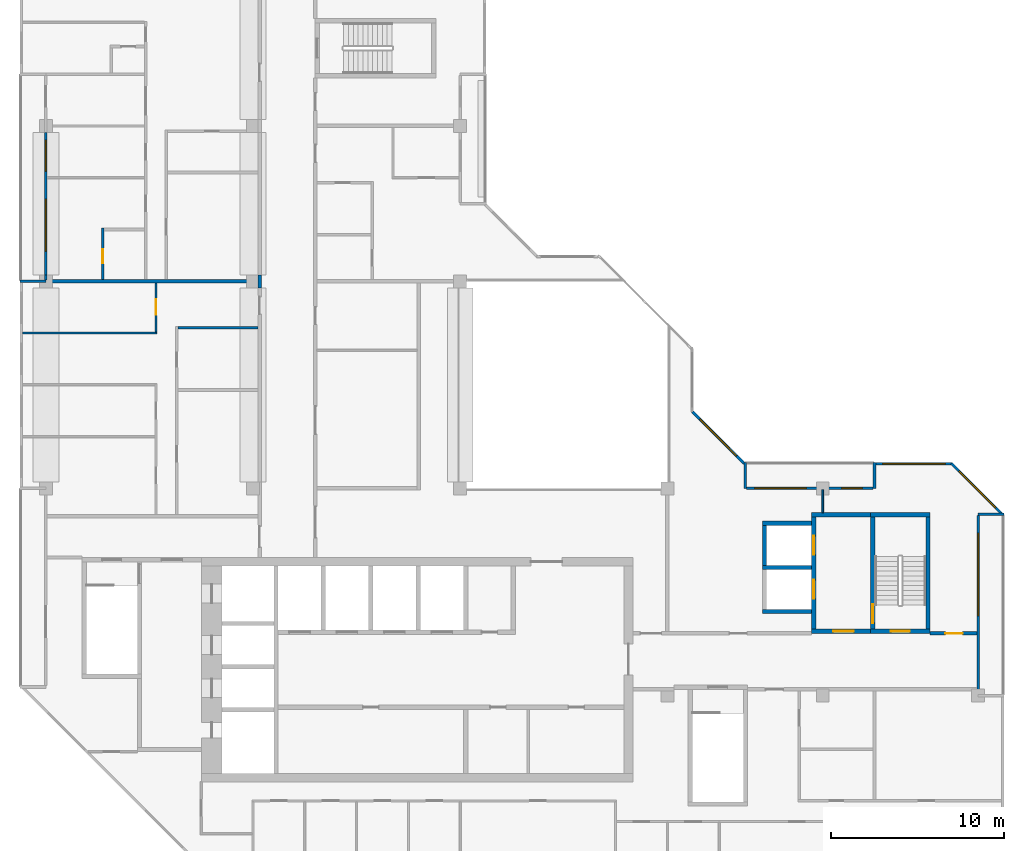
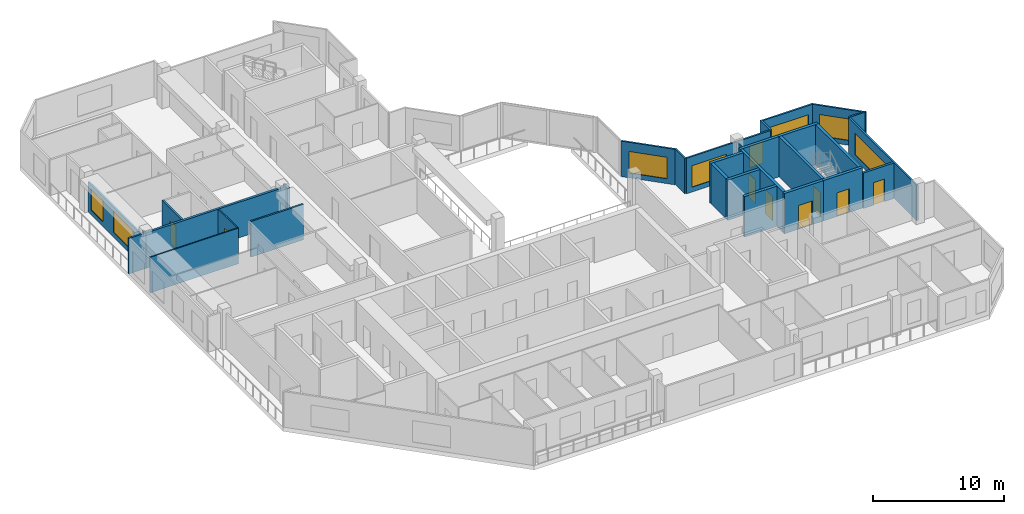
# One storey, part 7 of 11: 30 walls, 8 doors, 8 windows, 16 openings.
"""IFC4 building model written with IfcOpenShell, lengths in metres."""

import ifcopenshell
import ifcopenshell.guid

model = None  # the IFC model being written
_history = None  # IfcOwnerHistory: only IFC2X3 demands one
_inside = {}  # id of a spatial element -> (the spatial element, [elements in it])
_under = {}  # id of a project, library or spatial element -> (it, [spatial elements below it])
_declared = {}  # id of a project -> (the project, [libraries it declares])
_typed = {}  # id of a type object -> (the type object, [elements of that type])
_made_of = {}  # id of a material, layer set ... -> (it, [elements and type objects made of it])


def new_model(schema):
    """Start an empty IFC model of exactly this schema.

    Asked for "IFC4X3", IfcOpenShell would pick the latest addendum, in which some entities
    have other attributes; the version numbers below select the first issue.
    IFC2X3 requires an IfcOwnerHistory on every rooted entity: one is made here for all.
    """
    global model, _history
    if schema == "IFC4X3":
        model = ifcopenshell.file(schema_version=(4, 3, 0, 0))
    else:
        model = ifcopenshell.file(schema=schema)
    _inside.clear()
    _under.clear()
    _declared.clear()
    _typed.clear()
    _made_of.clear()
    _history = None
    if model.schema == "IFC2X3":
        org = make("IfcOrganization", Name="unknown")
        user = make(
            "IfcPersonAndOrganization",
            ThePerson=make("IfcPerson", FamilyName="unknown"),
            TheOrganization=org,
        )
        app = make(
            "IfcApplication",
            ApplicationDeveloper=org,
            Version="unknown",
            ApplicationFullName="unknown",
            ApplicationIdentifier="unknown",
        )
        _history = make(
            "IfcOwnerHistory",
            OwningUser=user,
            OwningApplication=app,
            ChangeAction="ADDED",
            CreationDate=0,
        )
    return model


def make(cls, **values):
    """One entity of the class cls with the attributes given. An attribute that is None is left unset."""
    return model.create_entity(
        cls, **{name: value for name, value in values.items() if value is not None}
    )


def rooted(cls, **values):
    """An entity with a GlobalId (a new one), such as an element, a storey or a relation."""
    return make(cls, GlobalId=ifcopenshell.guid.new(), OwnerHistory=_history, **values)


def si_unit(unit_type, name, prefix=None):
    """IfcSIUnit, for example si_unit("LENGTHUNIT", "METRE", prefix="MILLI")."""
    return make("IfcSIUnit", UnitType=unit_type, Prefix=prefix, Name=name)


def assignment(units):
    """IfcUnitAssignment: the units of a project."""
    return None if units is None else make("IfcUnitAssignment", Units=units)


def point(xyz):
    """IfcCartesianPoint."""
    return None if xyz is None else make("IfcCartesianPoint", Coordinates=xyz)


def direction(xyz):
    """IfcDirection."""
    return None if xyz is None else make("IfcDirection", DirectionRatios=xyz)


def frame(location, z_axis=None, x_axis=None):
    """IfcAxis2Placement3D, a coordinate frame: its origin and axes. An axis left out is left unset."""
    return make(
        "IfcAxis2Placement3D",
        Location=point(location),
        Axis=direction(z_axis),
        RefDirection=direction(x_axis),
    )


def frame_2d(location, x_axis=None):
    """IfcAxis2Placement2D, a coordinate frame in the plane: its origin and x axis."""
    return make(
        "IfcAxis2Placement2D", Location=point(location), RefDirection=direction(x_axis)
    )


def origin():
    """The frame at (0, 0, 0) with its axes left unset."""
    return frame((0.0, 0.0, 0.0))


def place(relative_to, where):
    """IfcLocalPlacement: puts the frame where relative to a parent placement (None: the world)."""
    return make(
        "IfcLocalPlacement", PlacementRelTo=relative_to, RelativePlacement=where
    )


def context(
    kind, dimensions, precision=None, world=None, true_north=None, identifier=None
):
    """IfcGeometricRepresentationContext, for example the 3D "Model" context."""
    return make(
        "IfcGeometricRepresentationContext",
        ContextIdentifier=identifier,
        ContextType=kind,
        CoordinateSpaceDimension=dimensions,
        Precision=precision,
        WorldCoordinateSystem=world,
        TrueNorth=true_north,
    )


def subcontext(parent, identifier, kind, view, scale=None):
    """IfcGeometricRepresentationSubContext, for example "Body" below "Model"."""
    return make(
        "IfcGeometricRepresentationSubContext",
        ContextIdentifier=identifier,
        ContextType=kind,
        ParentContext=parent,
        TargetScale=scale,
        TargetView=view,
    )


def project(units=None, contexts=None):
    """IfcProject with its units and contexts."""
    return rooted(
        "IfcProject",
        Name="project",
        RepresentationContexts=contexts,
        UnitsInContext=assignment(units),
    )


def spatial(cls, under=None, at=None, **own):
    """A site, building, storey or space (cls), placed at a placement, below another one or the project."""
    s = rooted(cls, ObjectPlacement=at, **own)
    if under is not None:
        _under.setdefault(under.id(), (under, []))[1].append(s)
    return s


def profile(cls, at=None, kind="AREA", **sizes):
    """A parametric profile (cls). Its sizes go by their IFC names, for example OverallWidth=200.0."""
    return make(cls, ProfileType=kind, Position=at, **sizes)


def rectangle(**sizes):
    """IfcRectangleProfileDef."""
    return profile("IfcRectangleProfileDef", **sizes)


def extrude(swept, where, along, depth):
    """IfcExtrudedAreaSolid: the profile swept, set in the frame where, extruded along a direction by depth."""
    return make(
        "IfcExtrudedAreaSolid",
        SweptArea=swept,
        Position=where,
        ExtrudedDirection=direction(along),
        Depth=depth,
    )


def shape(context_of_items, identifier, shape_type, items):
    """IfcShapeRepresentation: the items that make up one representation, for example the "Body"."""
    return make(
        "IfcShapeRepresentation",
        ContextOfItems=context_of_items,
        RepresentationIdentifier=identifier,
        RepresentationType=shape_type,
        Items=items,
    )


def material(Name=None, Category=None):
    """IfcMaterial."""
    return make("IfcMaterial", Name=Name, Category=Category)


def layer(
    of_material, thickness, ventilated=None, Name=None, Category=None, Priority=None
):
    """IfcMaterialLayer: one layer of a wall or slab, of a material (None: an air gap)."""
    return make(
        "IfcMaterialLayer",
        Material=of_material,
        LayerThickness=thickness,
        IsVentilated=ventilated,
        Name=Name,
        Category=Category,
        Priority=Priority,
    )


def layer_set(layers, Name=None):
    """IfcMaterialLayerSet."""
    return make("IfcMaterialLayerSet", MaterialLayers=layers, LayerSetName=Name)


def made_of(thing, what):
    """Note that an element or type object is made of a material, layer set ...; save() writes the relation."""
    if what is not None:
        _made_of.setdefault(what.id(), (what, []))[1].append(thing)
    return thing


def type_object(cls, material=None, **own):
    """A type object (cls), such as IfcWallType, which elements share."""
    return made_of(rooted(cls, **own), material)


def element(
    cls,
    number,
    at=None,
    inside=None,
    cuts=None,
    type_object=None,
    material=None,
    context=None,
    identifier="Body",
    shape_type=None,
    held_by="IfcProductDefinitionShape",
    body=None,
    shapes=None,
    **own,
):
    """One element of the class cls, such as IfcWall. Its Tag is "e" and its number.

    at: its placement. inside: the storey or other place that contains it. cuts: it is an
    opening in that element (IfcRelVoidsElement). A single representation is given by context,
    identifier, shape_type and body (its items); several are given by shapes. held_by: the class
    of the entity that holds the representations. save() writes the other relations.
    """
    e = rooted(cls, Tag="e%d" % number, ObjectPlacement=at, **own)
    if body is not None:
        shapes = [shape(context, identifier, shape_type, body)]
    if shapes is not None:
        e.Representation = make(held_by, Representations=shapes)
    if inside is not None:
        _inside.setdefault(inside.id(), (inside, []))[1].append(e)
    if cuts is not None:
        rooted(
            "IfcRelVoidsElement", RelatingBuildingElement=cuts, RelatedOpeningElement=e
        )
    if type_object is not None:
        _typed.setdefault(type_object.id(), (type_object, []))[1].append(e)
    return made_of(e, material)


def fill(opening, filler):
    """IfcRelFillsElement: the door or window that sits in an opening."""
    return rooted(
        "IfcRelFillsElement",
        RelatingOpeningElement=opening,
        RelatedBuildingElement=filler,
    )


def aggregate(whole, parts):
    """IfcRelAggregates: a whole, such as a stair, and the parts it consists of."""
    return rooted("IfcRelAggregates", RelatingObject=whole, RelatedObjects=parts)


def save(model, path):
    """Write the relations noted so far, then the file.

    IfcRelAggregates (storeys below a building ...), IfcRelContainedInSpatialStructure (elements
    in a storey), IfcRelDefinesByType, IfcRelAssociatesMaterial and IfcRelDeclares: one each for
    every whole, place, type object, material and project.
    """
    for whole, parts in _under.values():
        aggregate(whole, parts)
    for where, things in _inside.values():
        rooted(
            "IfcRelContainedInSpatialStructure",
            RelatedElements=things,
            RelatingStructure=where,
        )
    for kind, things in _typed.values():
        rooted("IfcRelDefinesByType", RelatedObjects=things, RelatingType=kind)
    for what, things in _made_of.values():
        rooted("IfcRelAssociatesMaterial", RelatedObjects=things, RelatingMaterial=what)
    for by, libraries in _declared.values():
        rooted("IfcRelDeclares", RelatingContext=by, RelatedDefinitions=libraries)
    model.write(path)


model = new_model("IFC4")

# Units and contexts
model_context = context("Model", 3, precision=1e-05, world=origin(), true_north=direction((0.0, 1.0)))
body_context = subcontext(model_context, "Body", "Model", "MODEL_VIEW")
ifc_project = project(units=[si_unit("LENGTHUNIT", "METRE"), si_unit("AREAUNIT", "SQUARE_METRE"), si_unit("VOLUMEUNIT", "CUBIC_METRE"), si_unit("PLANEANGLEUNIT", "RADIAN"), si_unit("MASSUNIT", "GRAM", prefix="KILO")], contexts=[model_context])

# Site, building, storey
site_placement = place(None, origin())
site = spatial("IfcSite", under=ifc_project, at=site_placement, CompositionType="ELEMENT")
building_placement = place(site_placement, origin())
building = spatial("IfcBuilding", under=site, at=building_placement, Name="Chenar Terraces", CompositionType="ELEMENT")
storey_placement = place(building_placement, frame((0.0, 0.0, 380.14990234375)))
storey = spatial("IfcBuildingStorey", under=building, at=storey_placement, Name="L89", CompositionType="ELEMENT", Elevation=380.14990234375)

# Wall, opening, door
ifc_material_1 = material(Name="Concrete C50/60", Category="concrete")
ifc_layer_1 = layer(ifc_material_1, 0.25)
ifc_layer_set_1 = layer_set([ifc_layer_1], Name="Concrete C50/60")
wall_type_1 = type_object("IfcWallType", Name="Core wall 250 Concrete C50/60", PredefinedType="SHEAR", material=ifc_layer_set_1)
wall_1_placement = place(storey_placement, frame((47.77490234375, 15.72509765625, 0.0), z_axis=(0.0, 0.0, 1.0), x_axis=(1.0, 0.0, 0.0)))
wall_1 = element("IfcWall", 1, at=wall_1_placement, inside=storey, type_object=wall_type_1, Name="Core wall ST3_S L89", PredefinedType="SHEAR", context=body_context, shape_type="SweptSolid", body=[
    extrude(rectangle(XDim=3.4501953125, YDim=0.25, at=frame_2d((1.72509765625, 0.0))), origin(), (0.0, 0.0, 1.0), 3.75),
])
opening_1_placement = place(wall_1_placement, frame((1.175048828125, 0.0, 0.0)))
opening_1 = element("IfcOpeningElement", 2, at=opening_1_placement, cuts=wall_1, Name="Opening DL89-C8", PredefinedType="OPENING", context=body_context, shape_type="SweptSolid", body=[
    extrude(rectangle(XDim=1.10009765625, YDim=2.199951171875, at=frame_2d((0.550048828125, 1.10009765625))), frame((0.0, 0.135009765625, 0.0), z_axis=(0.0, -1.0, 0.0), x_axis=(1.0, 0.0, 0.0)), (0.0, 0.0, 1.0), 0.27001953125),
])
ifc_material_2 = material(Name="Steel-framed fire-resisting door leaf", Category="steel")
door_type_1 = type_object("IfcDoorType", Name="Stair fire door FD60 1100 x 2200", OperationType="SINGLE_SWING_LEFT", PredefinedType="DOOR", material=ifc_material_2)
door_1_placement = place(opening_1_placement, frame((1.10009765625, 0.0, 0.0), z_axis=(0.0, 0.0, 1.0), x_axis=(-1.0, 0.0, 0.0)))
door_1 = element("IfcDoor", 3, at=door_1_placement, inside=storey, type_object=door_type_1, Name="Stair door DL89-C8", OperationType="SINGLE_SWING_LEFT", OverallHeight=2.199951171875, OverallWidth=1.10009765625, PredefinedType="DOOR", context=body_context, shape_type="SweptSolid", body=[
    extrude(rectangle(XDim=1.10009765625, YDim=2.199951171875, at=frame_2d((0.550048828125, 1.10009765625))), frame((0.0, 0.02490234375, 0.0), z_axis=(0.0, -1.0, 0.0), x_axis=(1.0, 0.0, 0.0)), (0.0, 0.0, 1.0), 0.050048828125),
])
fill(opening_1, door_1)

# Wall
wall_2_placement = place(storey_placement, frame((47.77490234375, 22.47509765625, 0.0), z_axis=(0.0, 0.0, 1.0), x_axis=(1.0, 0.0, 0.0)))
element("IfcWall", 4, at=wall_2_placement, inside=storey, type_object=wall_type_1, Name="Core wall ST3_N L89", PredefinedType="SHEAR", context=body_context, shape_type="SweptSolid", body=[
    extrude(rectangle(XDim=3.4501953125, YDim=0.25, at=frame_2d((1.72509765625, 0.0))), origin(), (0.0, 0.0, 1.0), 3.75),
])

# Wall, opening, door
wall_3_placement = place(storey_placement, frame((47.89990234375, 15.85009765625, 0.0), z_axis=(0.0, 0.0, 1.0), x_axis=(0.0, 1.0, 0.0)))
wall_3 = element("IfcWall", 5, at=wall_3_placement, inside=storey, type_object=wall_type_1, Name="Core wall ST3_W L89", PredefinedType="SHEAR", context=body_context, shape_type="SweptSolid", body=[
    extrude(rectangle(XDim=6.5, YDim=0.25, at=frame_2d((3.25, 0.0))), origin(), (0.0, 0.0, 1.0), 3.75),
])
opening_2_placement = place(wall_3_placement, frame((0.35009765625, 0.0, 0.0)))
opening_2 = element("IfcOpeningElement", 6, at=opening_2_placement, cuts=wall_3, Name="Opening DL89-C11", PredefinedType="OPENING", context=body_context, shape_type="SweptSolid", body=[
    extrude(rectangle(XDim=1.10009765625, YDim=2.199951171875, at=frame_2d((0.550048828125, 1.10009765625))), frame((0.0, 0.135009765625, 0.0), z_axis=(0.0, -1.0, 0.0), x_axis=(1.0, 0.0, 0.0)), (0.0, 0.0, 1.0), 0.27001953125),
])
door_2_placement = place(opening_2_placement, frame((1.10009765625, 0.0, 0.0), z_axis=(0.0, 0.0, 1.0), x_axis=(-1.0, 0.0, 0.0)))
door_2 = element("IfcDoor", 7, at=door_2_placement, inside=storey, type_object=door_type_1, Name="Stair door DL89-C11", OperationType="SINGLE_SWING_RIGHT", OverallHeight=2.199951171875, OverallWidth=1.10009765625, PredefinedType="DOOR", context=body_context, shape_type="SweptSolid", body=[
    extrude(rectangle(XDim=1.10009765625, YDim=2.199951171875, at=frame_2d((0.550048828125, 1.10009765625))), frame((0.0, 0.02490234375, 0.0), z_axis=(0.0, -1.0, 0.0), x_axis=(1.0, 0.0, 0.0)), (0.0, 0.0, 1.0), 0.050048828125),
])
fill(opening_2, door_2)

# Wall
wall_4_placement = place(storey_placement, frame((51.10009765625, 15.85009765625, 0.0), z_axis=(0.0, 0.0, 1.0), x_axis=(0.0, 1.0, 0.0)))
element("IfcWall", 8, at=wall_4_placement, inside=storey, type_object=wall_type_1, Name="Core wall ST3_E L89", PredefinedType="SHEAR", context=body_context, shape_type="SweptSolid", body=[
    extrude(rectangle(XDim=6.5, YDim=0.25, at=frame_2d((3.25, 0.0))), origin(), (0.0, 0.0, 1.0), 3.75),
])

# Wall, opening, door
wall_5_placement = place(storey_placement, frame((44.35009765625, 15.72509765625, 0.0), z_axis=(0.0, 0.0, 1.0), x_axis=(1.0, 0.0, 0.0)))
wall_5 = element("IfcWall", 9, at=wall_5_placement, inside=storey, type_object=wall_type_1, Name="Core wall F3_LS L89", PredefinedType="SHEAR", context=body_context, shape_type="SweptSolid", body=[
    extrude(rectangle(XDim=3.4248046875, YDim=0.25, at=frame_2d((1.71240234375, 0.0))), origin(), (0.0, 0.0, 1.0), 3.75),
])
opening_3_placement = place(wall_5_placement, frame((1.25, 0.0, 0.0)))
opening_3 = element("IfcOpeningElement", 10, at=opening_3_placement, cuts=wall_5, Name="Opening DL89-C10", PredefinedType="OPENING", context=body_context, shape_type="SweptSolid", body=[
    extrude(rectangle(XDim=1.199951171875, YDim=2.199951171875, at=frame_2d((0.60009765625, 1.10009765625))), frame((0.0, 0.135009765625, 0.0), z_axis=(0.0, -1.0, 0.0), x_axis=(1.0, 0.0, 0.0)), (0.0, 0.0, 1.0), 0.27001953125),
])
ifc_material_3 = material(Name="Steel-framed fire-resisting door leaf", Category="steel")
door_type_2 = type_object("IfcDoorType", Name="Lobby fire door FD60 1200 x 2200", OperationType="SINGLE_SWING_LEFT", PredefinedType="DOOR", material=ifc_material_3)
door_3_placement = place(opening_3_placement, origin())
door_3 = element("IfcDoor", 11, at=door_3_placement, inside=storey, type_object=door_type_2, Name="Core door DL89-C10", OperationType="SINGLE_SWING_RIGHT", OverallHeight=2.199951171875, OverallWidth=1.199951171875, PredefinedType="DOOR", context=body_context, shape_type="SweptSolid", body=[
    extrude(rectangle(XDim=1.199951171875, YDim=2.199951171875, at=frame_2d((0.60009765625, 1.10009765625))), frame((0.0, 0.02490234375, 0.0), z_axis=(0.0, -1.0, 0.0), x_axis=(1.0, 0.0, 0.0)), (0.0, 0.0, 1.0), 0.050048828125),
])
fill(opening_3, door_3)

# Wall
wall_6_placement = place(storey_placement, frame((44.35009765625, 22.47509765625, 0.0), z_axis=(0.0, 0.0, 1.0), x_axis=(1.0, 0.0, 0.0)))
element("IfcWall", 12, at=wall_6_placement, inside=storey, type_object=wall_type_1, Name="Core wall F3_LN L89", PredefinedType="SHEAR", context=body_context, shape_type="SweptSolid", body=[
    extrude(rectangle(XDim=3.4248046875, YDim=0.25, at=frame_2d((1.71240234375, 0.0))), origin(), (0.0, 0.0, 1.0), 3.75),
])

# Wall, openings, doors
wall_7_placement = place(storey_placement, frame((44.47509765625, 15.85009765625, 0.0), z_axis=(0.0, 0.0, 1.0), x_axis=(0.0, 1.0, 0.0)))
wall_7 = element("IfcWall", 13, at=wall_7_placement, inside=storey, type_object=wall_type_1, Name="Core wall F3_LW L89", PredefinedType="SHEAR", context=body_context, shape_type="SweptSolid", body=[
    extrude(rectangle(XDim=6.5, YDim=0.25, at=frame_2d((3.25, 0.0))), origin(), (0.0, 0.0, 1.0), 3.75),
])
opening_4_placement = place(wall_7_placement, frame((1.75, 0.0, 0.0)))
opening_4 = element("IfcOpeningElement", 14, at=opening_4_placement, cuts=wall_7, Name="Opening DL89-LD8", PredefinedType="OPENING", context=body_context, shape_type="SweptSolid", body=[
    extrude(rectangle(XDim=1.10009765625, YDim=2.199951171875, at=frame_2d((0.550048828125, 1.10009765625))), frame((0.0, 0.135009765625, 0.0), z_axis=(0.0, -1.0, 0.0), x_axis=(1.0, 0.0, 0.0)), (0.0, 0.0, 1.0), 0.27001953125),
])
opening_5_placement = place(wall_7_placement, frame((4.300048828125, 0.0, 0.0)))
opening_5 = element("IfcOpeningElement", 15, at=opening_5_placement, cuts=wall_7, Name="Opening DL89-LD9", PredefinedType="OPENING", context=body_context, shape_type="SweptSolid", body=[
    extrude(rectangle(XDim=1.10009765625, YDim=2.199951171875, at=frame_2d((0.550048828125, 1.10009765625))), frame((0.0, 0.135009765625, 0.0), z_axis=(0.0, -1.0, 0.0), x_axis=(1.0, 0.0, 0.0)), (0.0, 0.0, 1.0), 0.27001953125),
])
ifc_material_4 = material(Name="Stainless steel", Category="steel")
door_type_3 = type_object("IfcDoorType", Name="Lift landing door 1100 x 2200 sliding", OperationType="DOUBLE_DOOR_SLIDING", PredefinedType="DOOR", material=ifc_material_4)
door_4_placement = place(opening_4_placement, origin())
door_4 = element("IfcDoor", 16, at=door_4_placement, inside=storey, type_object=door_type_3, Name="Landing door F3", OperationType="DOUBLE_DOOR_SLIDING", OverallHeight=2.199951171875, OverallWidth=1.10009765625, PredefinedType="DOOR", context=body_context, shape_type="SweptSolid", body=[
    extrude(rectangle(XDim=1.10009765625, YDim=2.199951171875, at=frame_2d((0.550048828125, 1.10009765625))), frame((0.0, 0.02490234375, 0.0), z_axis=(0.0, -1.0, 0.0), x_axis=(1.0, 0.0, 0.0)), (0.0, 0.0, 1.0), 0.050048828125),
])
fill(opening_4, door_4)
door_5_placement = place(opening_5_placement, origin())
door_5 = element("IfcDoor", 17, at=door_5_placement, inside=storey, type_object=door_type_3, Name="Landing door F4", OperationType="DOUBLE_DOOR_SLIDING", OverallHeight=2.199951171875, OverallWidth=1.10009765625, PredefinedType="DOOR", context=body_context, shape_type="SweptSolid", body=[
    extrude(rectangle(XDim=1.10009765625, YDim=2.199951171875, at=frame_2d((0.550048828125, 1.10009765625))), frame((0.0, 0.02490234375, 0.0), z_axis=(0.0, -1.0, 0.0), x_axis=(1.0, 0.0, 0.0)), (0.0, 0.0, 1.0), 0.050048828125),
])
fill(opening_5, door_5)

# Walls
for number, where, z_axis, x_axis, name in (
    (18, (41.5, 16.875, 0.0), (0.0, 0.0, 1.0), (1.0, 0.0, 0.0), "Core wall F3_SS L89"),
    (19, (41.5, 19.425048828125, 0.0), (0.0, 0.0, 1.0), (1.0, 0.0, 0.0), "Core wall F3_SM L89"),
    (20, (41.5, 21.97509765625, 0.0), (0.0, 0.0, 1.0), (1.0, 0.0, 0.0), "Core wall F4_SN L89"),
):
    element("IfcWall", number, at=place(storey_placement, frame(where, z_axis=z_axis, x_axis=x_axis)), inside=storey, type_object=wall_type_1, Name=name, PredefinedType="SHEAR", context=body_context, shape_type="SweptSolid", body=[
        extrude(rectangle(XDim=2.85009765625, YDim=0.25, at=frame_2d((1.425048828125, 0.0))), origin(), (0.0, 0.0, 1.0), 3.75),
    ])
wall_8_placement = place(storey_placement, frame((41.625, 19.550048828125, 0.0), z_axis=(0.0, 0.0, 1.0), x_axis=(0.0, 1.0, 0.0)))
element("IfcWall", 21, at=wall_8_placement, inside=storey, type_object=wall_type_1, Name="Core wall F4_SW L89", PredefinedType="SHEAR", context=body_context, shape_type="SweptSolid", body=[
    extrude(rectangle(XDim=2.300048828125, YDim=0.25, at=frame_2d((1.14990234375, 0.0))), origin(), (0.0, 0.0, 1.0), 3.75),
])

# Wall, opening, door
ifc_material_5 = material(Name="Gypsum board on steel studs with fire boards", Category="steel")
ifc_layer_2 = layer(ifc_material_5, 0.199951171875)
ifc_layer_set_2 = layer_set([ifc_layer_2], Name="Gypsum board on steel studs with fire boards")
wall_type_2 = type_object("IfcWallType", Name="Corridor wall 200", PredefinedType="PARTITIONING", material=ifc_layer_set_2)
wall_9_placement = place(storey_placement, frame((51.22509765625, 15.60009765625, 0.0), z_axis=(0.0, 0.0, 1.0), x_axis=(1.0, 0.0, 0.0)))
wall_9 = element("IfcWall", 22, at=wall_9_placement, inside=storey, type_object=wall_type_2, Name="Partition L89-061", PredefinedType="PARTITIONING", context=body_context, shape_type="SweptSolid", body=[
    extrude(rectangle(XDim=2.700927734375, YDim=0.199951171875, at=frame_2d((1.3505859375, 0.0))), origin(), (0.0, 0.0, 1.0), 3.300048828125),
])
opening_6_placement = place(wall_9_placement, frame((0.875, 0.0, 0.0)))
opening_6 = element("IfcOpeningElement", 23, at=opening_6_placement, cuts=wall_9, Name="Opening DL89-20", PredefinedType="OPENING", context=body_context, shape_type="SweptSolid", body=[
    extrude(rectangle(XDim=1.0, YDim=2.10009765625, at=frame_2d((0.5, 1.050048828125))), frame((0.0, 0.10986328125, 0.0), z_axis=(0.0, -1.0, 0.0), x_axis=(1.0, 0.0, 0.0)), (0.0, 0.0, 1.0), 0.219970703125),
])
ifc_material_6 = material(Name="Steel-framed fire-resisting door leaf", Category="steel")
door_type_4 = type_object("IfcDoorType", Name="Fire door FD60 1000 x 2100", OperationType="SINGLE_SWING_LEFT", PredefinedType="DOOR", material=ifc_material_6)
door_6_placement = place(opening_6_placement, origin())
door_6 = element("IfcDoor", 24, at=door_6_placement, inside=storey, type_object=door_type_4, Name="Door DL89-20", OperationType="SINGLE_SWING_RIGHT", OverallHeight=2.10009765625, OverallWidth=1.0, PredefinedType="DOOR", context=body_context, shape_type="SweptSolid", body=[
    extrude(rectangle(XDim=1.0, YDim=2.10009765625, at=frame_2d((0.5, 1.050048828125))), frame((0.0, 0.02490234375, 0.0), z_axis=(0.0, -1.0, 0.0), x_axis=(1.0, 0.0, 0.0)), (0.0, 0.0, 1.0), 0.050048828125),
])
fill(opening_6, door_6)

# Wall
wall_10_placement = place(storey_placement, frame((12.375, 35.625, 0.0), z_axis=(0.0, 0.0, 1.0), x_axis=(0.0, 1.0, 0.0)))
element("IfcWall", 25, at=wall_10_placement, inside=storey, type_object=wall_type_2, Name="Partition L89-029", PredefinedType="PARTITIONING", context=body_context, shape_type="SweptSolid", body=[
    extrude(rectangle(XDim=0.75, YDim=0.199951171875, at=frame_2d((0.375, 0.0))), origin(), (0.0, 0.0, 1.0), 3.300048828125),
])

# Wall, opening, window
ifc_material_7 = material(Name="Aluminium framed glazing", Category="aluminium")
ifc_layer_3 = layer(ifc_material_7, 0.14990234375)
ifc_layer_set_3 = layer_set([ifc_layer_3], Name="Aluminium framed glazing")
wall_type_3 = type_object("IfcWallType", Name="Glazed flush facade wall 150", PredefinedType="SOLIDWALL", material=ifc_layer_set_3)
wall_11_placement = place(storey_placement, frame((52.5, 25.425048828125, 0.0), z_axis=(0.0, 0.0, 1.0), x_axis=(-1.0, 0.0, 0.0)))
wall_11 = element("IfcWall", 26, at=wall_11_placement, inside=storey, type_object=wall_type_3, Name="Glazed flush facade wall", PredefinedType="SOLIDWALL", context=body_context, shape_type="SweptSolid", body=[
    extrude(rectangle(XDim=4.425048828125, YDim=0.14990234375, at=frame_2d((2.21240234375, 0.0))), origin(), (0.0, 0.0, 1.0), 3.300048828125),
])
opening_7_placement = place(wall_11_placement, frame((0.41259765625, 0.0, 0.449951171875)))
opening_7 = element("IfcOpeningElement", 27, at=opening_7_placement, cuts=wall_11, Name="Opening W360x200", PredefinedType="OPENING", context=body_context, shape_type="SweptSolid", body=[
    extrude(rectangle(XDim=3.60009765625, YDim=2.0, at=frame_2d((1.800048828125, 1.0))), frame((0.0, 0.0849609375, 0.0), z_axis=(0.0, -1.0, 0.0), x_axis=(1.0, 0.0, 0.0)), (0.0, 0.0, 1.0), 0.169921875),
])
ifc_material_8 = material(Name="Low emissivity double glazing, aluminium frame", Category="aluminium")
window_type_1 = type_object("IfcWindowType", Name="Fixed light 3600 x 2000", PartitioningType="SINGLE_PANEL", PredefinedType="WINDOW", material=ifc_material_8)
window_1_placement = place(opening_7_placement, origin())
window_1 = element("IfcWindow", 28, at=window_1_placement, inside=storey, type_object=window_type_1, Name="Window", OverallHeight=2.0, OverallWidth=3.60009765625, PartitioningType="SINGLE_PANEL", PredefinedType="WINDOW", context=body_context, shape_type="SweptSolid", body=[
    extrude(rectangle(XDim=3.60009765625, YDim=2.0, at=frame_2d((1.800048828125, 1.0))), frame((0.0, 0.030029296875, 0.0), z_axis=(0.0, -1.0, 0.0), x_axis=(1.0, 0.0, 0.0)), (0.0, 0.0, 1.0), 0.06005859375),
])
fill(opening_7, window_1)

# Wall, openings, windows
ifc_material_9 = material(Name="Aluminium framed glazing", Category="aluminium")
ifc_layer_4 = layer(ifc_material_9, 0.14990234375)
ifc_layer_set_4 = layer_set([ifc_layer_4], Name="Aluminium framed glazing")
wall_type_4 = type_object("IfcWallType", Name="Glazed loggia back wall 150", PredefinedType="SOLIDWALL", material=ifc_layer_set_4)
wall_12_placement = place(storey_placement, frame((47.925048828125, 24.0, 0.0), z_axis=(0.0, 0.0, 1.0), x_axis=(-1.0, 0.0, 0.0)))
wall_12 = element("IfcWall", 29, at=wall_12_placement, inside=storey, type_object=wall_type_4, Name="Glazed loggia back wall", PredefinedType="SOLIDWALL", context=body_context, shape_type="SweptSolid", body=[
    extrude(rectangle(XDim=7.35009765625, YDim=0.14990234375, at=frame_2d((3.675048828125, 0.0))), origin(), (0.0, 0.0, 1.0), 3.300048828125),
])
opening_8_placement = place(wall_12_placement, frame((0.625, 0.0, 0.449951171875)))
opening_8 = element("IfcOpeningElement", 30, at=opening_8_placement, cuts=wall_12, Name="Opening W120x200", PredefinedType="OPENING", context=body_context, shape_type="SweptSolid", body=[
    extrude(rectangle(XDim=1.199951171875, YDim=2.0, at=frame_2d((0.60009765625, 1.0))), frame((0.0, 0.0849609375, 0.0), z_axis=(0.0, -1.0, 0.0), x_axis=(1.0, 0.0, 0.0)), (0.0, 0.0, 1.0), 0.169921875),
])
opening_9_placement = place(wall_12_placement, frame((3.875, 0.0, 0.449951171875)))
opening_9 = element("IfcOpeningElement", 31, at=opening_9_placement, cuts=wall_12, Name="Opening W300x200", PredefinedType="OPENING", context=body_context, shape_type="SweptSolid", body=[
    extrude(rectangle(XDim=3.0, YDim=2.0, at=frame_2d((1.5, 1.0))), frame((0.0, 0.0849609375, 0.0), z_axis=(0.0, -1.0, 0.0), x_axis=(1.0, 0.0, 0.0)), (0.0, 0.0, 1.0), 0.169921875),
])
ifc_material_10 = material(Name="Low emissivity double glazing, aluminium frame", Category="aluminium")
window_type_2 = type_object("IfcWindowType", Name="Fixed light 1200 x 2000", PartitioningType="SINGLE_PANEL", PredefinedType="WINDOW", material=ifc_material_10)
window_2_placement = place(opening_8_placement, origin())
window_2 = element("IfcWindow", 32, at=window_2_placement, inside=storey, type_object=window_type_2, Name="Window", OverallHeight=2.0, OverallWidth=1.199951171875, PartitioningType="SINGLE_PANEL", PredefinedType="WINDOW", context=body_context, shape_type="SweptSolid", body=[
    extrude(rectangle(XDim=1.199951171875, YDim=2.0, at=frame_2d((0.60009765625, 1.0))), frame((0.0, 0.030029296875, 0.0), z_axis=(0.0, -1.0, 0.0), x_axis=(1.0, 0.0, 0.0)), (0.0, 0.0, 1.0), 0.06005859375),
])
fill(opening_8, window_2)
ifc_material_11 = material(Name="Low emissivity double glazing, aluminium frame", Category="aluminium")
window_type_3 = type_object("IfcWindowType", Name="Fixed light 3000 x 2000", PartitioningType="SINGLE_PANEL", PredefinedType="WINDOW", material=ifc_material_11)
window_3_placement = place(opening_9_placement, origin())
window_3 = element("IfcWindow", 33, at=window_3_placement, inside=storey, type_object=window_type_3, Name="Window", OverallHeight=2.0, OverallWidth=3.0, PartitioningType="SINGLE_PANEL", PredefinedType="WINDOW", context=body_context, shape_type="SweptSolid", body=[
    extrude(rectangle(XDim=3.0, YDim=2.0, at=frame_2d((1.5, 1.0))), frame((0.0, 0.030029296875, 0.0), z_axis=(0.0, -1.0, 0.0), x_axis=(1.0, 0.0, 0.0)), (0.0, 0.0, 1.0), 0.06005859375),
])
fill(opening_9, window_3)

# Wall, opening, window
wall_13_placement = place(storey_placement, frame((54.0, 12.074951171875, 0.0), z_axis=(0.0, 0.0, 1.0), x_axis=(0.0, 1.0, 0.0)))
wall_13 = element("IfcWall", 34, at=wall_13_placement, inside=storey, type_object=wall_type_4, Name="Glazed loggia back wall", PredefinedType="SOLIDWALL", context=body_context, shape_type="SweptSolid", body=[
    extrude(rectangle(XDim=10.35009765625, YDim=0.14990234375, at=frame_2d((5.175048828125, 0.0))), origin(), (0.0, 0.0, 1.0), 3.300048828125),
])
opening_10_placement = place(wall_13_placement, frame((4.53759765625, 0.0, 0.449951171875)))
opening_10 = element("IfcOpeningElement", 35, at=opening_10_placement, cuts=wall_13, Name="Opening W480x200", PredefinedType="OPENING", context=body_context, shape_type="SweptSolid", body=[
    extrude(rectangle(XDim=4.800048828125, YDim=2.0, at=frame_2d((2.39990234375, 1.0))), frame((0.0, 0.0849609375, 0.0), z_axis=(0.0, -1.0, 0.0), x_axis=(1.0, 0.0, 0.0)), (0.0, 0.0, 1.0), 0.169921875),
])
ifc_material_12 = material(Name="Low emissivity double glazing, aluminium frame", Category="aluminium")
window_type_4 = type_object("IfcWindowType", Name="Fixed light 4800 x 2000", PartitioningType="SINGLE_PANEL", PredefinedType="WINDOW", material=ifc_material_12)
window_4_placement = place(opening_10_placement, origin())
window_4 = element("IfcWindow", 36, at=window_4_placement, inside=storey, type_object=window_type_4, Name="Window", OverallHeight=2.0, OverallWidth=4.800048828125, PartitioningType="SINGLE_PANEL", PredefinedType="WINDOW", context=body_context, shape_type="SweptSolid", body=[
    extrude(rectangle(XDim=4.800048828125, YDim=2.0, at=frame_2d((2.39990234375, 1.0))), frame((0.0, 0.030029296875, 0.0), z_axis=(0.0, -1.0, 0.0), x_axis=(1.0, 0.0, 0.0)), (0.0, 0.0, 1.0), 0.06005859375),
])
fill(opening_10, window_4)

# Wall, openings, windows
wall_14_placement = place(storey_placement, frame((0.0, 44.625, 0.0), z_axis=(0.0, 0.0, 1.0), x_axis=(0.0, -1.0, 0.0)))
wall_14 = element("IfcWall", 37, at=wall_14_placement, inside=storey, type_object=wall_type_4, Name="Glazed loggia back wall", PredefinedType="SOLIDWALL", context=body_context, shape_type="SweptSolid", body=[
    extrude(rectangle(XDim=8.25, YDim=0.14990234375, at=frame_2d((4.125, 0.0))), origin(), (0.0, 0.0, 1.0), 2.800048828125),
])
opening_11_placement = place(wall_14_placement, frame((0.46240234375, 0.0, 0.449951171875)))
opening_11 = element("IfcOpeningElement", 38, at=opening_11_placement, cuts=wall_14, Name="Opening W180x200", PredefinedType="OPENING", context=body_context, shape_type="SweptSolid", body=[
    extrude(rectangle(XDim=1.800048828125, YDim=2.0, at=frame_2d((0.89990234375, 1.0))), frame((0.0, 0.0849609375, 0.0), z_axis=(0.0, -1.0, 0.0), x_axis=(1.0, 0.0, 0.0)), (0.0, 0.0, 1.0), 0.169921875),
])
opening_12_placement = place(wall_14_placement, frame((3.887451171875, 0.0, 0.449951171875)))
opening_12 = element("IfcOpeningElement", 39, at=opening_12_placement, cuts=wall_14, Name="Opening W300x200", PredefinedType="OPENING", context=body_context, shape_type="SweptSolid", body=[
    extrude(rectangle(XDim=3.0, YDim=2.0, at=frame_2d((1.5, 1.0))), frame((0.0, 0.0849609375, 0.0), z_axis=(0.0, -1.0, 0.0), x_axis=(1.0, 0.0, 0.0)), (0.0, 0.0, 1.0), 0.169921875),
])
ifc_material_13 = material(Name="Low emissivity double glazing, aluminium frame", Category="aluminium")
window_type_5 = type_object("IfcWindowType", Name="Fixed light 1800 x 2000", PartitioningType="SINGLE_PANEL", PredefinedType="WINDOW", material=ifc_material_13)
window_5_placement = place(opening_11_placement, origin())
window_5 = element("IfcWindow", 40, at=window_5_placement, inside=storey, type_object=window_type_5, Name="Window", OverallHeight=2.0, OverallWidth=1.800048828125, PartitioningType="SINGLE_PANEL", PredefinedType="WINDOW", context=body_context, shape_type="SweptSolid", body=[
    extrude(rectangle(XDim=1.800048828125, YDim=2.0, at=frame_2d((0.89990234375, 1.0))), frame((0.0, 0.030029296875, 0.0), z_axis=(0.0, -1.0, 0.0), x_axis=(1.0, 0.0, 0.0)), (0.0, 0.0, 1.0), 0.06005859375),
])
fill(opening_11, window_5)
window_6_placement = place(opening_12_placement, origin())
window_6 = element("IfcWindow", 41, at=window_6_placement, inside=storey, type_object=window_type_3, Name="Window", OverallHeight=2.0, OverallWidth=3.0, PartitioningType="SINGLE_PANEL", PredefinedType="WINDOW", context=body_context, shape_type="SweptSolid", body=[
    extrude(rectangle(XDim=3.0, YDim=2.0, at=frame_2d((1.5, 1.0))), frame((0.0, 0.030029296875, 0.0), z_axis=(0.0, -1.0, 0.0), x_axis=(1.0, 0.0, 0.0)), (0.0, 0.0, 1.0), 0.06005859375),
])
fill(opening_12, window_6)

# Walls
wall_15_placement = place(storey_placement, frame((0.0, 36.375, 0.0), z_axis=(0.0, 0.0, 1.0), x_axis=(0.0, -1.0, 0.0)))
element("IfcWall", 42, at=wall_15_placement, inside=storey, type_object=wall_type_4, Name="Glazed loggia back wall", PredefinedType="SOLIDWALL", context=body_context, shape_type="SweptSolid", body=[
    extrude(rectangle(XDim=0.300048828125, YDim=0.14990234375, at=frame_2d((0.14990234375, 0.0))), origin(), (0.0, 0.0, 1.0), 3.300048828125),
])
ifc_material_14 = material(Name="Gypsum board on steel studs", Category="steel")
ifc_layer_5 = layer(ifc_material_14, 0.10009765625)
ifc_layer_set_5 = layer_set([ifc_layer_5], Name="Gypsum board on steel studs")
wall_type_5 = type_object("IfcWallType", Name="Gypsum partition 100", PredefinedType="PARTITIONING", material=ifc_layer_set_5)
wall_16_placement = place(storey_placement, frame((-1.35009765625, 33.0, 0.0), z_axis=(0.0, 0.0, 1.0), x_axis=(1.0, 0.0, 0.0)))
element("IfcWall", 43, at=wall_16_placement, inside=storey, type_object=wall_type_5, Name="Partition L89-003", PredefinedType="PARTITIONING", context=body_context, shape_type="SweptSolid", body=[
    extrude(rectangle(XDim=7.775146484375, YDim=0.10009765625, at=frame_2d((3.8876953125, 0.0))), origin(), (0.0, 0.0, 1.0), 3.300048828125),
])

# Wall, opening, door
wall_17_placement = place(storey_placement, frame((6.375, 33.050048828125, 0.0), z_axis=(0.0, 0.0, 1.0), x_axis=(0.0, 1.0, 0.0)))
wall_17 = element("IfcWall", 44, at=wall_17_placement, inside=storey, type_object=wall_type_5, Name="Partition L89-018", PredefinedType="PARTITIONING", context=body_context, shape_type="SweptSolid", body=[
    extrude(rectangle(XDim=2.849853515625, YDim=0.10009765625, at=frame_2d((1.4248046875, 0.0))), origin(), (0.0, 0.0, 1.0), 3.300048828125),
])
opening_13_placement = place(wall_17_placement, frame((1.0, 0.0, 0.0)))
opening_13 = element("IfcOpeningElement", 45, at=opening_13_placement, cuts=wall_17, Name="Opening DL89-41", PredefinedType="OPENING", context=body_context, shape_type="SweptSolid", body=[
    extrude(rectangle(XDim=0.89990234375, YDim=2.10009765625, at=frame_2d((0.449951171875, 1.050048828125))), frame((0.0, 0.06005859375, 0.0), z_axis=(0.0, -1.0, 0.0), x_axis=(1.0, 0.0, 0.0)), (0.0, 0.0, 1.0), 0.1201171875),
])
ifc_material_15 = material(Name="Veneered timber door leaf", Category="wood")
door_type_5 = type_object("IfcDoorType", Name="Door 900 x 2100", OperationType="SINGLE_SWING_LEFT", PredefinedType="DOOR", material=ifc_material_15)
door_7_placement = place(opening_13_placement, origin())
door_7 = element("IfcDoor", 46, at=door_7_placement, inside=storey, type_object=door_type_5, Name="Door DL89-41", OperationType="SINGLE_SWING_RIGHT", OverallHeight=2.10009765625, OverallWidth=0.89990234375, PredefinedType="DOOR", context=body_context, shape_type="SweptSolid", body=[
    extrude(rectangle(XDim=0.89990234375, YDim=2.10009765625, at=frame_2d((0.449951171875, 1.050048828125))), frame((0.0, 0.02490234375, 0.0), z_axis=(0.0, -1.0, 0.0), x_axis=(1.0, 0.0, 0.0)), (0.0, 0.0, 1.0), 0.050048828125),
])
fill(opening_13, door_7)

# Walls
wall_18_placement = place(storey_placement, frame((45.0, 22.60009765625, 0.0), z_axis=(0.0, 0.0, 1.0), x_axis=(0.0, 1.0, 0.0)))
element("IfcWall", 47, at=wall_18_placement, inside=storey, type_object=wall_type_5, Name="Partition L89-057", PredefinedType="PARTITIONING", context=body_context, shape_type="SweptSolid", body=[
    extrude(rectangle(XDim=1.325927734375, YDim=0.10009765625, at=frame_2d((0.6630859375, 0.0))), origin(), (0.0, 0.0, 1.0), 3.300048828125),
])
ifc_material_16 = material(Name="Terracotta cladding on insulated backing", Category="masonry")
ifc_layer_6 = layer(ifc_material_16, 0.14990234375)
ifc_layer_set_6 = layer_set([ifc_layer_6], Name="Terracotta cladding on insulated backing")
wall_type_6 = type_object("IfcWallType", Name="Loggia return wall 150", PredefinedType="SOLIDWALL", material=ifc_layer_set_6)
for number, where, z_axis, x_axis, name in (
    (48, (48.0, 25.5, 0.0), (0.0, 0.0, 1.0), (0.0, -1.0, 0.0), "Loggia return wall"),
    (49, (40.5, 25.5, 0.0), (0.0, 0.0, 1.0), (0.0, -1.0, 0.0), "Loggia return wall"),
    (50, (-1.5, 36.0, 0.0), (0.0, 0.0, 1.0), (1.0, 0.0, 0.0), "Loggia return wall"),
    (51, (55.5, 22.5, 0.0), (0.0, 0.0, 1.0), (-1.0, 0.0, 0.0), "Loggia return wall"),
):
    element("IfcWall", number, at=place(storey_placement, frame(where, z_axis=z_axis, x_axis=x_axis)), inside=storey, type_object=wall_type_6, Name=name, PredefinedType="SOLIDWALL", context=body_context, shape_type="SweptSolid", body=[
        extrude(rectangle(XDim=1.5, YDim=0.14990234375, at=frame_2d((0.75, 0.0))), origin(), (0.0, 0.0, 1.0), 3.300048828125),
    ])

# Wall, opening, window
ifc_material_17 = material(Name="Terracotta cladding on insulated backing", Category="masonry")
ifc_layer_7 = layer(ifc_material_17, 0.14990234375)
ifc_layer_set_7 = layer_set([ifc_layer_7], Name="Terracotta cladding on insulated backing")
wall_type_7 = type_object("IfcWallType", Name="Terracotta rainscreen wall 150", PredefinedType="SOLIDWALL", material=ifc_layer_set_7)
wall_19_placement = place(storey_placement, frame((40.447021484375, 25.447021484375, 0.0), z_axis=(0.0, 0.0, 1.0), x_axis=(-0.707106781187, 0.707106781187, 0.0)))
wall_19 = element("IfcWall", 52, at=wall_19_placement, inside=storey, type_object=wall_type_7, Name="Terracotta rainscreen wall", PredefinedType="SOLIDWALL", context=body_context, shape_type="SweptSolid", body=[
    extrude(rectangle(XDim=4.24267578125, YDim=0.14990234375, at=frame_2d((2.121337890625, 0.0))), origin(), (0.0, 0.0, 1.0), 3.300048828125),
])
opening_14_placement = place(wall_19_placement, frame((0.621337890625, 0.0, 0.449951171875)))
opening_14 = element("IfcOpeningElement", 53, at=opening_14_placement, cuts=wall_19, Name="Opening W300x200", PredefinedType="OPENING", context=body_context, shape_type="SweptSolid", body=[
    extrude(rectangle(XDim=3.0, YDim=2.0, at=frame_2d((1.5, 1.0))), frame((0.0, 0.0849609375, 0.0), z_axis=(0.0, -1.0, 0.0), x_axis=(1.0, 0.0, 0.0)), (0.0, 0.0, 1.0), 0.169921875),
])
window_7_placement = place(opening_14_placement, origin())
window_7 = element("IfcWindow", 54, at=window_7_placement, inside=storey, type_object=window_type_3, Name="Window", OverallHeight=2.0, OverallWidth=3.0, PartitioningType="SINGLE_PANEL", PredefinedType="WINDOW", context=body_context, shape_type="SweptSolid", body=[
    extrude(rectangle(XDim=3.0, YDim=2.0, at=frame_2d((1.5, 1.0))), frame((0.0, 0.030029296875, 0.0), z_axis=(0.0, -1.0, 0.0), x_axis=(1.0, 0.0, 0.0)), (0.0, 0.0, 1.0), 0.06005859375),
])
fill(opening_14, window_7)

wall_20_placement = place(storey_placement, frame((55.447021484375, 22.447021484375, 0.0), z_axis=(0.0, 0.0, 1.0), x_axis=(-0.707106781187, 0.707106781187, 0.0)))
wall_20 = element("IfcWall", 55, at=wall_20_placement, inside=storey, type_object=wall_type_7, Name="Terracotta rainscreen wall", PredefinedType="SOLIDWALL", context=body_context, shape_type="SweptSolid", body=[
    extrude(rectangle(XDim=4.24267578125, YDim=0.14990234375, at=frame_2d((2.121337890625, 0.0))), origin(), (0.0, 0.0, 1.0), 3.300048828125),
])
opening_15_placement = place(wall_20_placement, frame((0.621337890625, 0.0, 0.449951171875)))
opening_15 = element("IfcOpeningElement", 56, at=opening_15_placement, cuts=wall_20, Name="Opening W300x200", PredefinedType="OPENING", context=body_context, shape_type="SweptSolid", body=[
    extrude(rectangle(XDim=3.0, YDim=2.0, at=frame_2d((1.5, 1.0))), frame((0.0, 0.0849609375, 0.0), z_axis=(0.0, -1.0, 0.0), x_axis=(1.0, 0.0, 0.0)), (0.0, 0.0, 1.0), 0.169921875),
])
window_8_placement = place(opening_15_placement, origin())
window_8 = element("IfcWindow", 57, at=window_8_placement, inside=storey, type_object=window_type_3, Name="Window", OverallHeight=2.0, OverallWidth=3.0, PartitioningType="SINGLE_PANEL", PredefinedType="WINDOW", context=body_context, shape_type="SweptSolid", body=[
    extrude(rectangle(XDim=3.0, YDim=2.0, at=frame_2d((1.5, 1.0))), frame((0.0, 0.030029296875, 0.0), z_axis=(0.0, -1.0, 0.0), x_axis=(1.0, 0.0, 0.0)), (0.0, 0.0, 1.0), 0.06005859375),
])
fill(opening_15, window_8)

# Wall
ifc_material_18 = material(Name="Twin gypsum board on steel studs with mineral wool", Category="steel")
ifc_layer_8 = layer(ifc_material_18, 0.199951171875)
ifc_layer_set_8 = layer_set([ifc_layer_8], Name="Twin gypsum board on steel studs with mineral wool")
wall_type_8 = type_object("IfcWallType", Name="Unit demising wall 200", PredefinedType="PARTITIONING", material=ifc_layer_set_8)
wall_21_placement = place(storey_placement, frame((0.0, 36.0, 0.0), z_axis=(0.0, 0.0, 1.0), x_axis=(1.0, 0.0, 0.0)))
element("IfcWall", 58, at=wall_21_placement, inside=storey, type_object=wall_type_8, Name="Partition L89-004", PredefinedType="PARTITIONING", context=body_context, shape_type="SweptSolid", body=[
    extrude(rectangle(XDim=12.27490234375, YDim=0.199951171875, at=frame_2d((6.137451171875, 0.0))), origin(), (0.0, 0.0, 1.0), 3.300048828125),
])

# Wall, opening, door
ifc_material_19 = material(Name="Moisture-resistant gypsum board on steel studs", Category="steel")
ifc_layer_9 = layer(ifc_material_19, 0.14990234375)
ifc_layer_set_9 = layer_set([ifc_layer_9], Name="Moisture-resistant gypsum board on steel studs")
wall_type_9 = type_object("IfcWallType", Name="Wet-room partition 150", PredefinedType="PARTITIONING", material=ifc_layer_set_9)
wall_22_placement = place(storey_placement, frame((3.300048828125, 36.10009765625, 0.0), z_axis=(0.0, 0.0, 1.0), x_axis=(0.0, 1.0, 0.0)))
wall_22 = element("IfcWall", 59, at=wall_22_placement, inside=storey, type_object=wall_type_9, Name="Partition L89-012", PredefinedType="PARTITIONING", context=body_context, shape_type="SweptSolid", body=[
    extrude(rectangle(XDim=2.974853515625, YDim=0.14990234375, at=frame_2d((1.4873046875, 0.0))), origin(), (0.0, 0.0, 1.0), 3.300048828125),
])
opening_16_placement = place(wall_22_placement, frame((0.949951171875, 0.0, 0.0)))
opening_16 = element("IfcOpeningElement", 60, at=opening_16_placement, cuts=wall_22, Name="Opening DL89-11", PredefinedType="OPENING", context=body_context, shape_type="SweptSolid", body=[
    extrude(rectangle(XDim=0.800048828125, YDim=2.10009765625, at=frame_2d((0.39990234375, 1.050048828125))), frame((0.0, 0.0849609375, 0.0), z_axis=(0.0, -1.0, 0.0), x_axis=(1.0, 0.0, 0.0)), (0.0, 0.0, 1.0), 0.169921875),
])
ifc_material_20 = material(Name="Veneered timber door leaf", Category="wood")
door_type_6 = type_object("IfcDoorType", Name="Door 800 x 2100", OperationType="SINGLE_SWING_LEFT", PredefinedType="DOOR", material=ifc_material_20)
door_8_placement = place(opening_16_placement, frame((0.800048828125, 0.0, 0.0), z_axis=(0.0, 0.0, 1.0), x_axis=(-1.0, 0.0, 0.0)))
door_8 = element("IfcDoor", 61, at=door_8_placement, inside=storey, type_object=door_type_6, Name="Door DL89-11", OperationType="SINGLE_SWING_RIGHT", OverallHeight=2.10009765625, OverallWidth=0.800048828125, PredefinedType="DOOR", context=body_context, shape_type="SweptSolid", body=[
    extrude(rectangle(XDim=0.800048828125, YDim=2.10009765625, at=frame_2d((0.39990234375, 1.050048828125))), frame((0.0, 0.02490234375, 0.0), z_axis=(0.0, -1.0, 0.0), x_axis=(1.0, 0.0, 0.0)), (0.0, 0.0, 1.0), 0.050048828125),
])
fill(opening_16, door_8)

# Wall
wall_23_placement = place(storey_placement, frame((7.64990234375, 33.300048828125, 0.0), z_axis=(0.0, 0.0, 1.0), x_axis=(1.0, 0.0, 0.0)))
element("IfcWall", 62, at=wall_23_placement, inside=storey, type_object=wall_type_9, Name="Partition L89-024", PredefinedType="PARTITIONING", context=body_context, shape_type="SweptSolid", body=[
    extrude(rectangle(XDim=4.625, YDim=0.14990234375, at=frame_2d((2.3125, 0.0))), origin(), (0.0, 0.0, 1.0), 3.300048828125),
])

save(model, "model.ifc")
